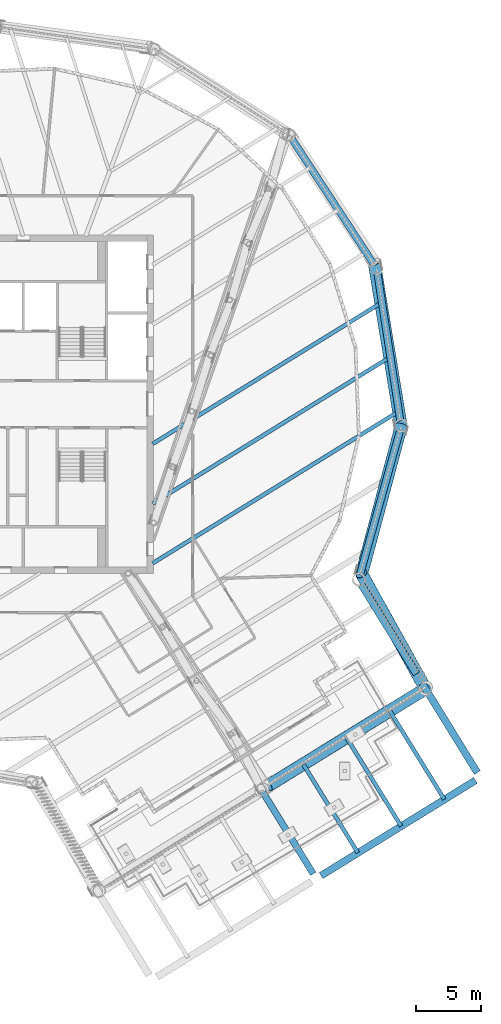
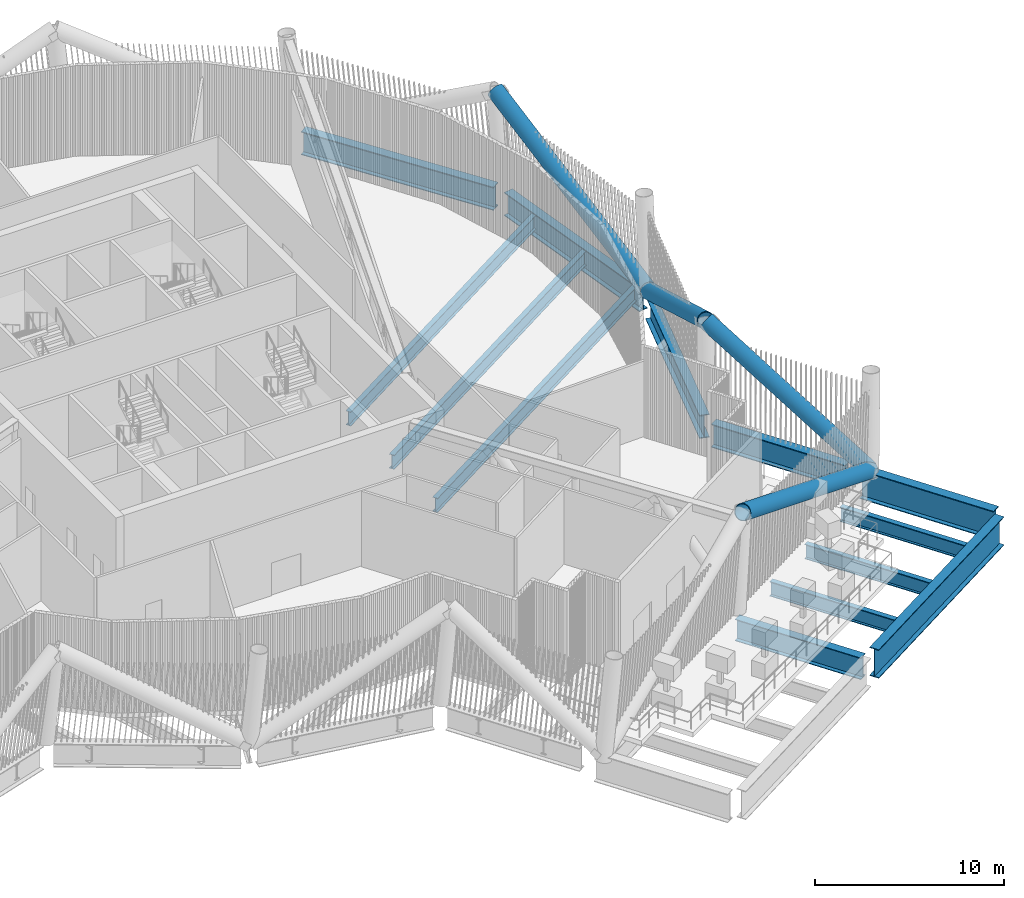
# One storey, part 10 of 40: 13 beams, 4 members.
"""IFC4 building model written with IfcOpenShell, lengths in metres."""

from ifc_helpers import new_model, si_unit, direction, frame, origin, origin_2d, place, context, subcontext, project, spatial, hollow_circle, i_section, extrude, material, material_profile, profile_set, type_object, element, save


model = new_model("IFC4")

# Units and contexts
model_context = context("Model", 3, precision=1e-05, world=origin(), true_north=direction((0.0, 1.0)))
body_context = subcontext(model_context, "Body", "Model", "MODEL_VIEW")
ifc_project = project(units=[si_unit("LENGTHUNIT", "METRE"), si_unit("AREAUNIT", "SQUARE_METRE"), si_unit("VOLUMEUNIT", "CUBIC_METRE"), si_unit("PLANEANGLEUNIT", "RADIAN"), si_unit("MASSUNIT", "GRAM", prefix="KILO")], contexts=[model_context])

# Site, building, storey
site_placement = place(None, origin())
site = spatial("IfcSite", under=ifc_project, at=site_placement, CompositionType="ELEMENT")
building_placement = place(site_placement, origin())
building = spatial("IfcBuilding", under=site, at=building_placement, Name="Tarsis Ring Headquarters", CompositionType="ELEMENT")
storey_placement = place(building_placement, frame((0.0, 0.0, 354.800048828125)))
storey = spatial("IfcBuildingStorey", under=building, at=storey_placement, Name="L84", CompositionType="ELEMENT", Elevation=354.800048828125)

# Beams
ifc_material = material(Name="Structural steel S355", Category="steel")
ifc_material_profile_1 = material_profile(ifc_material, i_section(OverallWidth=0.3046875, OverallDepth=0.904296875, WebThickness=0.01513671875, FlangeThickness=0.02001953125, at=origin_2d()), Name="W36x135")
ifc_profile_set_1 = profile_set([ifc_material_profile_1], Name="Structural steel S355")
beam_type_1 = type_object("IfcBeamType", Name="FB Floor beam W36x135", PredefinedType="JOIST", material=ifc_profile_set_1)
beam_1_placement = place(storey_placement, frame((9.914794921875, -3.046875, -0.752197265625), z_axis=(0.850999917567, 0.525165821718, 0.0), x_axis=(-0.525165821718, 0.850999917567, 0.0)))
element("IfcBeam", 1, at=beam_1_placement, inside=storey, type_object=beam_type_1, Name="Floor beam FB8", PredefinedType="JOIST", context=body_context, shape_type="SweptSolid", body=[
    extrude(i_section(OverallWidth=0.3046875, OverallDepth=0.904296875, WebThickness=0.01513671875, FlangeThickness=0.02001953125, at=origin_2d()), origin(), (0.0, 0.0, 1.0), 20.773681640625),
])
ifc_material_profile_2 = material_profile(ifc_material, i_section(OverallWidth=0.3046875, OverallDepth=0.91943359375, WebThickness=0.017333984375, FlangeThickness=0.02783203125, at=origin_2d()), Name="W36x170")
ifc_profile_set_2 = profile_set([ifc_material_profile_2], Name="Structural steel S355")
beam_type_2 = type_object("IfcBeamType", Name="FB Floor beam W36x170", PredefinedType="JOIST", material=ifc_profile_set_2)
beam_2_placement = place(storey_placement, frame((9.914794921875, -7.6298828125, -0.759765625), z_axis=(0.850994405107, 0.525174754227, 0.0), x_axis=(-0.525174754227, 0.850994405107, 0.0)))
element("IfcBeam", 2, at=beam_2_placement, inside=storey, type_object=beam_type_2, Name="Floor beam FB9", PredefinedType="JOIST", context=body_context, shape_type="SweptSolid", body=[
    extrude(i_section(OverallWidth=0.3046875, OverallDepth=0.91943359375, WebThickness=0.017333984375, FlangeThickness=0.02783203125, at=origin_2d()), origin(), (0.0, 0.0, 1.0), 21.53662109375),
])
beam_3_placement = place(storey_placement, frame((9.914794921875, -12.212646484375, -0.759765625), z_axis=(0.850999055752, 0.525167218236, 0.0), x_axis=(-0.525167218236, 0.850999055752, 0.0)))
element("IfcBeam", 3, at=beam_3_placement, inside=storey, type_object=beam_type_2, Name="Floor beam FB9", PredefinedType="JOIST", context=body_context, shape_type="SweptSolid", body=[
    extrude(i_section(OverallWidth=0.3046875, OverallDepth=0.91943359375, WebThickness=0.017333984375, FlangeThickness=0.02783203125, at=origin_2d()), origin(), (0.0, 0.0, 1.0), 22.299560546875),
])
ifc_material_profile_3 = material_profile(ifc_material, i_section(OverallWidth=0.309814453125, OverallDepth=0.949951171875, WebThickness=0.0244140625, FlangeThickness=0.0439453125, at=origin_2d()), Name="W36x256")
ifc_profile_set_3 = profile_set([ifc_material_profile_3], Name="Structural steel S355")
beam_type_3 = type_object("IfcBeamType", Name="TB Transfer beam W36x256", PredefinedType="BEAM", material=ifc_profile_set_3)
for number, where, z_axis, x_axis, name in (
    (4, (21.489990234375, -27.648681640625, -0.775146484375), (0.525185682487, -0.850987660845, 0.0), (0.850987660845, 0.525185682487, 0.0), "Transfer beam TB11"),
    (5, (24.808837890625, -25.6005859375, -0.775146484375), (0.525185682487, -0.850987660845, 0.0), (0.850987660845, 0.525185682487, 0.0), "Transfer beam TB11"),
):
    element("IfcBeam", number, at=place(storey_placement, frame(where, z_axis=z_axis, x_axis=x_axis)), inside=storey, type_object=beam_type_3, Name=name, PredefinedType="BEAM", context=body_context, shape_type="SweptSolid", body=[
        extrude(i_section(OverallWidth=0.309814453125, OverallDepth=0.949951171875, WebThickness=0.0244140625, FlangeThickness=0.0439453125, at=origin_2d()), origin(), (0.0, 0.0, 1.0), 7.97021484375),
    ])
beam_4_placement = place(storey_placement, frame((28.1279296875, -23.552490234375, -0.775146484375), z_axis=(0.525163498869, -0.851001351031, 0.0), x_axis=(0.851001351031, 0.525163498869, 0.0)))
element("IfcBeam", 6, at=beam_4_placement, inside=storey, type_object=beam_type_3, Name="Transfer beam TB11", PredefinedType="BEAM", context=body_context, shape_type="SweptSolid", body=[
    extrude(i_section(OverallWidth=0.309814453125, OverallDepth=0.949951171875, WebThickness=0.0244140625, FlangeThickness=0.0439453125, at=origin_2d()), origin(), (0.0, 0.0, 1.0), 7.969970703125),
])

# Members
ifc_material_profile_4 = material_profile(ifc_material, hollow_circle(Radius=0.482666015625, WallThickness=0.0400390625, at=origin_2d()), Name="CHS 965x40")
ifc_profile_set_4 = profile_set([ifc_material_profile_4], Name="Structural steel S355")
member_type = type_object("IfcMemberType", Name="TD Belt truss diagonal CHS 965x40", PredefinedType="BRACE", material=ifc_profile_set_4)
member_1_placement = place(storey_placement, frame((30.870849609375, -21.842041015625, 0.0), z_axis=(-0.783821774414, -0.48328192079, 0.389951293103), x_axis=(0.524829819299, -0.851207178526, 0.0)))
element("IfcMember", 7, at=member_1_placement, inside=storey, type_object=member_type, Name="Belt truss diagonal TD7", PredefinedType="BRACE", context=body_context, shape_type="SweptSolid", body=[
    extrude(hollow_circle(Radius=0.482666015625, WallThickness=0.0400390625, at=origin_2d()), origin(), (0.0, 0.0, 1.0), 15.386474609375),
])
member_2_placement = place(storey_placement, frame((30.870849609375, -21.842041015625, 0.0), z_axis=(-0.418202665509, 0.750851112504, 0.511203616392), x_axis=(-0.873631620083, -0.486587908185, 0.0)))
element("IfcMember", 8, at=member_2_placement, inside=storey, type_object=member_type, Name="Belt truss diagonal TD7", PredefinedType="BRACE", context=body_context, shape_type="SweptSolid", body=[
    extrude(hollow_circle(Radius=0.482666015625, WallThickness=0.0400390625, at=origin_2d()), origin(), (0.0, 0.0, 1.0), 11.737060546875),
])
member_3_placement = place(storey_placement, frame((28.9990234375, -1.6962890625, 0.0), z_axis=(-0.23043213293, -0.859998360719, 0.455306327295), x_axis=(0.965926874571, -0.258815132829, 0.0)))
element("IfcMember", 9, at=member_3_placement, inside=storey, type_object=member_type, Name="Belt truss diagonal TD7", PredefinedType="BRACE", context=body_context, shape_type="SweptSolid", body=[
    extrude(hollow_circle(Radius=0.482666015625, WallThickness=0.0400390625, at=origin_2d()), origin(), (0.0, 0.0, 1.0), 13.177978515625),
])
member_4_placement = place(storey_placement, frame((28.9990234375, -1.6962890625, 0.0), z_axis=(-0.146930297727, 0.892989310657, 0.425419297472), x_axis=(-0.986732482941, -0.162354572183, 0.0)))
element("IfcMember", 10, at=member_4_placement, inside=storey, type_object=member_type, Name="Belt truss diagonal TD7", PredefinedType="BRACE", context=body_context, shape_type="SweptSolid", body=[
    extrude(hollow_circle(Radius=0.482666015625, WallThickness=0.0400390625, at=origin_2d()), origin(), (0.0, 0.0, 1.0), 14.103759765625),
])

# Beams
ifc_material_profile_5 = material_profile(ifc_material, i_section(OverallWidth=0.5, OverallDepth=1.39990234375, WebThickness=0.030029296875, FlangeThickness=0.0400390625, at=origin_2d()), Name="PG 1400x500x30x40")
ifc_profile_set_5 = profile_set([ifc_material_profile_5], Name="Structural steel S355")
beam_type_4 = type_object("IfcBeamType", Name="XG Ring girder PG 1400x500x30x40", PredefinedType="BEAM", material=ifc_profile_set_5)
beam_5_placement = place(storey_placement, frame((22.249267578125, -36.052978515625, -1.050048828125), z_axis=(-0.525168611841, 0.85099819573, 0.0), x_axis=(-0.85099819573, -0.525168611841, 0.0)))
element("IfcBeam", 11, at=beam_5_placement, inside=storey, type_object=beam_type_4, Name="Ring girder XG7", PredefinedType="BEAM", context=body_context, shape_type="SweptSolid", body=[
    extrude(i_section(OverallWidth=0.5, OverallDepth=1.39990234375, WebThickness=0.030029296875, FlangeThickness=0.0400390625, at=origin_2d()), origin(), (0.0, 0.0, 1.0), 7.550537109375),
])
ifc_material_profile_6 = material_profile(ifc_material, i_section(OverallWidth=0.550048828125, OverallDepth=1.5, WebThickness=0.030029296875, FlangeThickness=0.050048828125, at=origin_2d()), Name="PG 1500x550x30x50")
ifc_profile_set_6 = profile_set([ifc_material_profile_6], Name="Structural steel S355")
beam_type_5 = type_object("IfcBeamType", Name="XG Ring girder PG 1500x550x30x50", PredefinedType="BEAM", material=ifc_profile_set_6)
beam_6_placement = place(storey_placement, frame((25.837890625, -13.080078125, -0.75), z_axis=(0.267561984843, 0.963540650034, 0.0), x_axis=(-0.963540650034, 0.267561984843, 0.0)))
element("IfcBeam", 12, at=beam_6_placement, inside=storey, type_object=beam_type_5, Name="Ring girder XG6", PredefinedType="BEAM", context=body_context, shape_type="SweptSolid", body=[
    extrude(i_section(OverallWidth=0.550048828125, OverallDepth=1.5, WebThickness=0.030029296875, FlangeThickness=0.050048828125, at=origin_2d()), origin(), (0.0, 0.0, 1.0), 11.380126953125),
])
beam_7_placement = place(storey_placement, frame((28.932373046875, -1.26708984375, -0.75), z_axis=(-0.153388617441, 0.988165943574, 0.0), x_axis=(-0.988165943574, -0.153388617441, 0.0)))
element("IfcBeam", 13, at=beam_7_placement, inside=storey, type_object=beam_type_5, Name="Ring girder XG6", PredefinedType="BEAM", context=body_context, shape_type="SweptSolid", body=[
    extrude(i_section(OverallWidth=0.550048828125, OverallDepth=1.5, WebThickness=0.030029296875, FlangeThickness=0.050048828125, at=origin_2d()), origin(), (0.0, 0.0, 1.0), 11.38037109375),
])
beam_8_placement = place(storey_placement, frame((26.88232421875, 10.771240234375, -0.75), z_axis=(-0.547062648885, 0.837091666543, 0.0), x_axis=(-0.837091666543, -0.547062648885, 0.0)))
element("IfcBeam", 14, at=beam_8_placement, inside=storey, type_object=beam_type_5, Name="Ring girder XG6", PredefinedType="BEAM", context=body_context, shape_type="SweptSolid", body=[
    extrude(i_section(OverallWidth=0.550048828125, OverallDepth=1.5, WebThickness=0.030029296875, FlangeThickness=0.050048828125, at=origin_2d()), origin(), (0.0, 0.0, 1.0), 11.380126953125),
])
beam_9_placement = place(storey_placement, frame((25.949951171875, -13.8681640625, -0.75), z_axis=(0.525177103713, -0.850992955162, 0.0), x_axis=(0.850992955162, 0.525177103713, 0.0)))
element("IfcBeam", 15, at=beam_9_placement, inside=storey, type_object=beam_type_5, Name="Ring girder XG6", PredefinedType="BEAM", context=body_context, shape_type="SweptSolid", body=[
    extrude(i_section(OverallWidth=0.550048828125, OverallDepth=1.5, WebThickness=0.030029296875, FlangeThickness=0.050048828125, at=origin_2d()), origin(), (0.0, 0.0, 1.0), 8.033447265625),
])
ifc_material_profile_7 = material_profile(ifc_material, i_section(OverallWidth=0.550048828125, OverallDepth=1.85009765625, WebThickness=0.030029296875, FlangeThickness=0.050048828125, at=origin_2d()), Name="PG 1850x550x30x50")
ifc_profile_set_7 = profile_set([ifc_material_profile_7], Name="Structural steel S355")
beam_type_6 = type_object("IfcBeamType", Name="XG Ring girder PG 1850x550x30x50", PredefinedType="BEAM", material=ifc_profile_set_7)
beam_10_placement = place(storey_placement, frame((30.625, -21.44384765625, -0.925048828125), z_axis=(0.525177103713, -0.850992955162, 0.0), x_axis=(0.850992955162, 0.525177103713, 0.0)))
element("IfcBeam", 16, at=beam_10_placement, inside=storey, type_object=beam_type_6, Name="Ring girder XG8", PredefinedType="BEAM", context=body_context, shape_type="SweptSolid", body=[
    extrude(i_section(OverallWidth=0.550048828125, OverallDepth=1.85009765625, WebThickness=0.030029296875, FlangeThickness=0.050048828125, at=origin_2d()), origin(), (0.0, 0.0, 1.0), 8.033447265625),
])
beam_11_placement = place(storey_placement, frame((22.84716796875, -36.194580078125, -0.925048828125), z_axis=(0.850993353453, 0.525176458325, 0.0), x_axis=(-0.525176458325, 0.850993353453, 0.0)))
element("IfcBeam", 17, at=beam_11_placement, inside=storey, type_object=beam_type_6, Name="Ring girder XG8", PredefinedType="BEAM", context=body_context, shape_type="SweptSolid", body=[
    extrude(i_section(OverallWidth=0.550048828125, OverallDepth=1.85009765625, WebThickness=0.030029296875, FlangeThickness=0.050048828125, at=origin_2d()), origin(), (0.0, 0.0, 1.0), 13.931396484375),
])

save(model, "model.ifc")
